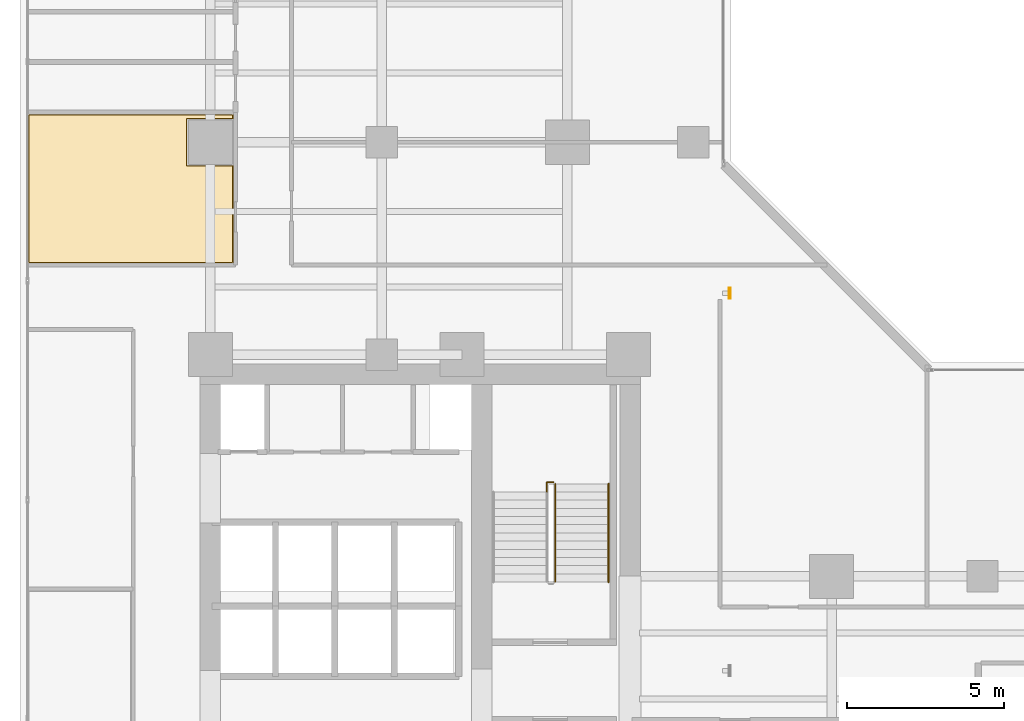
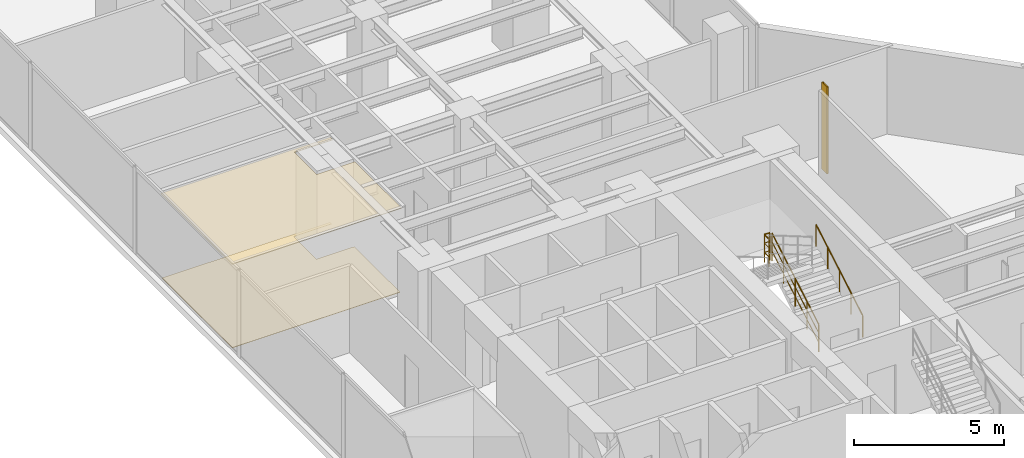
# One storey, part 26 of 28: 3 railings, 2 coverings, 1 shading device.
"""IFC4 building model written with IfcOpenShell, lengths in metres."""

from ifc_helpers import new_model, si_unit, direction, frame, origin, origin_2d, place, context, subcontext, project, spatial, polyline, hollow_rectangle, circle, outline, extrude, material, layer, layer_set, material_profile, profile_set, type_object, element, save


model = new_model("IFC4")

# Units and contexts
model_context = context("Model", 3, precision=1e-05, world=origin(), true_north=direction((0.0, 1.0)))
body_context = subcontext(model_context, "Body", "Model", "MODEL_VIEW")
ifc_project = project(units=[si_unit("LENGTHUNIT", "METRE"), si_unit("AREAUNIT", "SQUARE_METRE"), si_unit("VOLUMEUNIT", "CUBIC_METRE"), si_unit("PLANEANGLEUNIT", "RADIAN"), si_unit("MASSUNIT", "GRAM", prefix="KILO")], contexts=[model_context])

# Site, building, storey
site_placement = place(None, origin())
site = spatial("IfcSite", under=ifc_project, at=site_placement, CompositionType="ELEMENT")
building_placement = place(site_placement, origin())
building = spatial("IfcBuilding", under=site, at=building_placement, Name="Kolvaren Waterfront Exchange", CompositionType="ELEMENT")
storey_placement = place(building_placement, frame((0.0, 0.0, 103.10009765625)))
storey = spatial("IfcBuildingStorey", under=building, at=storey_placement, Name="L26", CompositionType="ELEMENT", Elevation=103.10009765625)

# Covering
ifc_material_1 = material(Name="Mineral fibre acoustic ceiling tile")
ifc_layer_1 = layer(ifc_material_1, 0.02490234375, Name="Mineral fibre acoustic ceiling tile")
ifc_layer_set_1 = layer_set([ifc_layer_1], Name="Mineral fibre acoustic ceiling tile")
covering_type_1 = type_object("IfcCoveringType", Name="ARC-CEIL-ACOUSTIC-25", PredefinedType="CEILING", material=ifc_layer_set_1)
covering_1_placement = place(storey_placement, frame((0.0, 0.0, 3.4248046875)))
element("IfcCovering", 1, at=covering_1_placement, inside=storey, type_object=covering_type_1, Name="L26 acoustic suspended ceiling 1", PredefinedType="CEILING", context=body_context, shape_type="SweptSolid", body=[
    extrude(outline(polyline([(8.18505859375, 30.4599609375), (6.7099609375, 30.4599609375), (6.7099609375, 31.93994140625), (8.18505859375, 31.93994140625), (8.18505859375, 32.10498046875), (1.64501953125, 32.10498046875), (1.64501953125, 27.344970703125), (8.18505859375, 27.344970703125), (8.18505859375, 30.4599609375)])), origin(), (0.0, 0.0, 1.0), 0.025146484375),
])

# Shading device
ifc_material_2 = material(Name="Anodised bronze aluminium 6063-T6", Category="aluminium")
ifc_material_profile = material_profile(ifc_material_2, hollow_rectangle(XDim=0.06005859375, YDim=0.35009765625, WallThickness=0.0048828125, at=origin_2d()), Name="BRZ-FIN-350x60x5")
ifc_profile_set = profile_set([ifc_material_profile], Name="Anodised bronze aluminium 6063-T6")
shading_device_type = type_object("IfcShadingDeviceType", Name="ARC-FIN-350", PredefinedType="USERDEFINED", material=ifc_profile_set)
shading_device_placement = place(storey_placement, frame((23.9599609375, 26.39990234375, 0.0), z_axis=(0.0, 0.0, 1.0), x_axis=(1.0, 0.0, 0.0)))
element("IfcShadingDevice", 2, at=shading_device_placement, inside=storey, type_object=shading_device_type, Name="L26 anodised bronze solar shading fin FIN-L26-E2", ObjectType="SOLAR FIN", PredefinedType="USERDEFINED", context=body_context, shape_type="SweptSolid", body=[
    extrude(hollow_rectangle(XDim=0.06005859375, YDim=0.35009765625, WallThickness=0.0048828125, at=origin_2d()), origin(), (0.0, 0.0, 1.0), 3.539794921875),
])

# Covering
ifc_material_3 = material(Name="Slip-resistant porcelain tile")
ifc_layer_2 = layer(ifc_material_3, 0.014892578125, Name="Slip-resistant porcelain tile")
ifc_layer_set_2 = layer_set([ifc_layer_2], Name="Slip-resistant porcelain tile")
covering_type_2 = type_object("IfcCoveringType", Name="ARC-FLR-PORC-15", PredefinedType="FLOORING", material=ifc_layer_set_2)
covering_2_placement = place(storey_placement, origin())
element("IfcCovering", 3, at=covering_2_placement, inside=storey, type_object=covering_type_2, Name="L26 floor finish 1", PredefinedType="FLOORING", context=body_context, shape_type="SweptSolid", body=[
    extrude(outline(polyline([(1.679931640625, 32.070068359375), (1.679931640625, 27.3798828125), (8.14990234375, 27.3798828125), (8.14990234375, 30.43994140625), (6.68994140625, 30.43994140625), (6.68994140625, 31.9599609375), (8.14990234375, 31.9599609375), (8.14990234375, 32.070068359375), (1.679931640625, 32.070068359375)])), origin(), (0.0, 0.0, 1.0), 0.014892578125),
])

# Railings
ifc_material_4 = material(Name="Stainless steel 316", Category="steel")
railing_type_1 = type_object("IfcRailingType", Name="ARC-GUARD-STAIR", PredefinedType="GUARDRAIL", material=ifc_material_4)
railing_1_placement = place(storey_placement, frame((18.409912109375, 17.219970703125, 0.15185546875)))
element("IfcRailing", 4, at=railing_1_placement, inside=storey, type_object=railing_type_1, Name="L26 ST2 stair guard 1", PredefinedType="GUARDRAIL", context=body_context, shape_type="SweptSolid", body=[
    extrude(circle(Radius=0.02392578125, at=origin_2d()), frame((0.0, 0.0, 1.1259765625), z_axis=(0.0, 0.86330811405, 0.504677223793), x_axis=(-1.0, 0.0, 0.0)), (0.0, 0.0, 1.0), 3.6142578125),
    extrude(circle(Radius=0.01611328125, at=origin_2d()), frame((0.0, 0.0, 0.390869140625), z_axis=(0.0, 0.86330811405, 0.504677223793), x_axis=(-1.0, 0.0, 0.0)), (0.0, 0.0, 1.0), 3.6142578125),
    extrude(circle(Radius=0.01611328125, at=origin_2d()), frame((0.0, 0.0, 0.7705078125), z_axis=(0.0, 0.86330811405, 0.504677223793), x_axis=(-1.0, 0.0, 0.0)), (0.0, 0.0, 1.0), 3.6142578125),
    extrude(circle(Radius=0.02099609375, at=origin_2d()), origin(), (0.0, 0.0, 1.0), 1.101806640625),
    extrude(circle(Radius=0.02099609375, at=origin_2d()), frame((0.0, 0.780029296875, 0.4560546875)), (0.0, 0.0, 1.0), 1.101806640625),
    extrude(circle(Radius=0.02099609375, at=origin_2d()), frame((0.0, 1.56005859375, 0.912109375)), (0.0, 0.0, 1.0), 1.101806640625),
    extrude(circle(Radius=0.02099609375, at=origin_2d()), frame((0.0, 2.340087890625, 1.367919921875)), (0.0, 0.0, 1.0), 1.101806640625),
    extrude(circle(Radius=0.02099609375, at=origin_2d()), frame((0.0, 3.1201171875, 1.823974609375)), (0.0, 0.0, 1.0), 1.101806640625),
])
railing_2_placement = place(storey_placement, frame((18.360107421875, 20.389892578125, 1.975830078125)))
element("IfcRailing", 5, at=railing_2_placement, inside=storey, type_object=railing_type_1, Name="L26 ST2 stair guard 2", PredefinedType="GUARDRAIL", context=body_context, shape_type="SweptSolid", body=[
    extrude(circle(Radius=0.02392578125, at=origin_2d()), frame((0.0, 0.0, 1.1259765625), z_axis=(-1.0, 0.0, 0.0), x_axis=(0.0, -1.0, 0.0)), (0.0, 0.0, 1.0), 0.210205078125),
    extrude(circle(Radius=0.01611328125, at=origin_2d()), frame((0.0, 0.0, 0.390869140625), z_axis=(-1.0, 0.0, 0.0), x_axis=(0.0, -1.0, 0.0)), (0.0, 0.0, 1.0), 0.210205078125),
    extrude(circle(Radius=0.01611328125, at=origin_2d()), frame((0.0, 0.0, 0.7705078125), z_axis=(-1.0, 0.0, 0.0), x_axis=(0.0, -1.0, 0.0)), (0.0, 0.0, 1.0), 0.210205078125),
    extrude(circle(Radius=0.02392578125, at=origin_2d()), frame((-0.210205078125, 0.0, 1.1259765625), z_axis=(0.0, -1.0, 0.0), x_axis=(1.0, 0.0, 0.0)), (0.0, 0.0, 1.0), 0.309814453125),
    extrude(circle(Radius=0.01611328125, at=origin_2d()), frame((-0.210205078125, 0.0, 0.390869140625), z_axis=(0.0, -1.0, 0.0), x_axis=(1.0, 0.0, 0.0)), (0.0, 0.0, 1.0), 0.309814453125),
    extrude(circle(Radius=0.01611328125, at=origin_2d()), frame((-0.210205078125, 0.0, 0.7705078125), z_axis=(0.0, -1.0, 0.0), x_axis=(1.0, 0.0, 0.0)), (0.0, 0.0, 1.0), 0.309814453125),
    extrude(circle(Radius=0.02099609375, at=origin_2d()), origin(), (0.0, 0.0, 1.0), 1.101806640625),
    extrude(circle(Radius=0.02099609375, at=origin_2d()), frame((-0.210205078125, 0.0, 0.0)), (0.0, 0.0, 1.0), 1.101806640625),
    extrude(circle(Radius=0.02099609375, at=origin_2d()), frame((-0.210205078125, -0.309814453125, 0.0)), (0.0, 0.0, 1.0), 1.101806640625),
])
railing_type_2 = type_object("IfcRailingType", Name="ARC-HANDRAIL-900", PredefinedType="HANDRAIL", material=ifc_material_4)
railing_3_placement = place(storey_placement, frame((20.110107421875, 17.219970703125, 0.15185546875)))
element("IfcRailing", 6, at=railing_3_placement, inside=storey, type_object=railing_type_2, Name="L26 ST2 stair handrail 1", PredefinedType="HANDRAIL", context=body_context, shape_type="SweptSolid", body=[
    extrude(circle(Radius=0.02392578125, at=origin_2d()), frame((0.0, 0.0, 0.8759765625), z_axis=(0.0, 0.86330811405, 0.504677223793), x_axis=(-1.0, 0.0, 0.0)), (0.0, 0.0, 1.0), 3.6142578125),
    extrude(circle(Radius=0.02099609375, at=origin_2d()), origin(), (0.0, 0.0, 1.0), 0.851806640625),
    extrude(circle(Radius=0.02099609375, at=origin_2d()), frame((0.0, 0.780029296875, 0.4560546875)), (0.0, 0.0, 1.0), 0.851806640625),
    extrude(circle(Radius=0.02099609375, at=origin_2d()), frame((0.0, 1.56005859375, 0.912109375)), (0.0, 0.0, 1.0), 0.851806640625),
    extrude(circle(Radius=0.02099609375, at=origin_2d()), frame((0.0, 2.340087890625, 1.367919921875)), (0.0, 0.0, 1.0), 0.851806640625),
    extrude(circle(Radius=0.02099609375, at=origin_2d()), frame((0.0, 3.1201171875, 1.823974609375)), (0.0, 0.0, 1.0), 0.851806640625),
])

save(model, "model.ifc")
